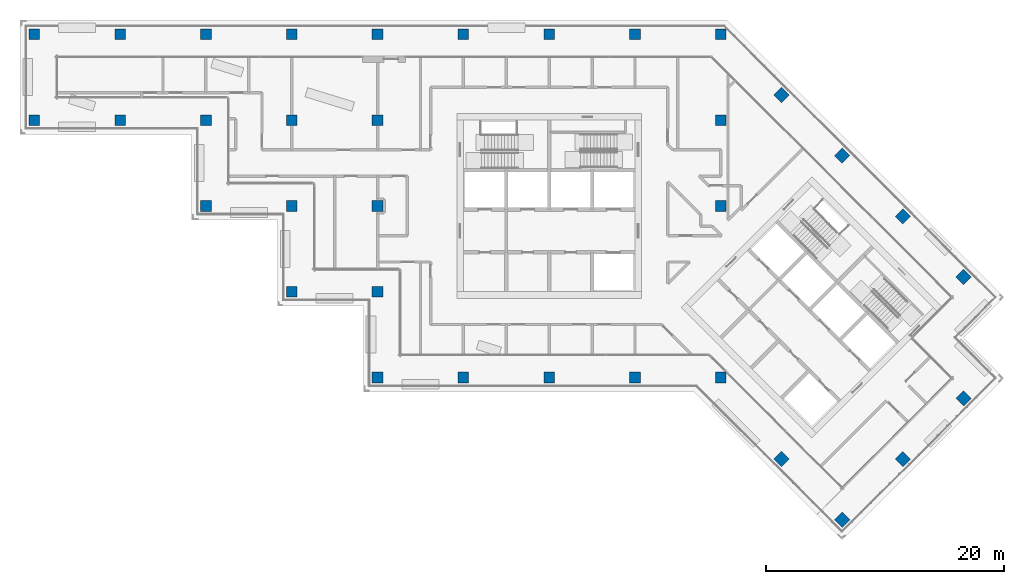
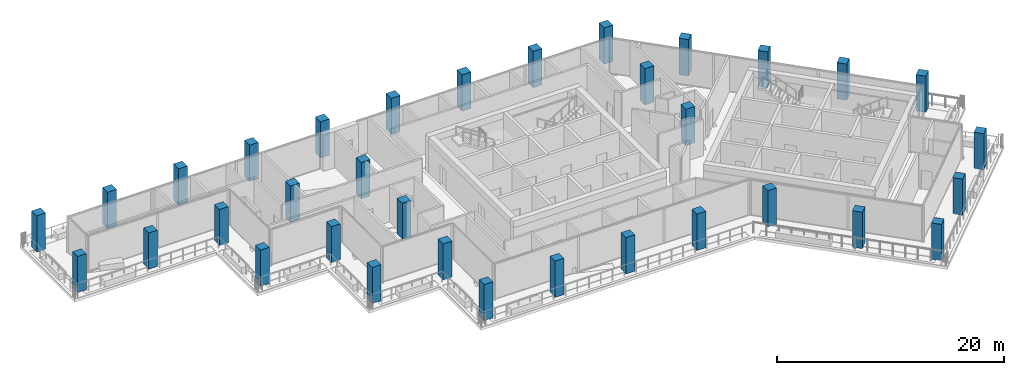
# One storey, part 1 of 19: 34 columns.
"""IFC4 building model written with IfcOpenShell, lengths in metres."""

from ifc_helpers import new_model, si_unit, direction, frame, origin, origin_2d, place, context, subcontext, project, spatial, rectangle, extrude, material, material_profile, profile_set, type_object, element, save


model = new_model("IFC4")

# Units and contexts
model_context = context("Model", 3, precision=1e-05, world=origin(), true_north=direction((0.0, 1.0)))
body_context = subcontext(model_context, "Body", "Model", "MODEL_VIEW")
ifc_project = project(units=[si_unit("LENGTHUNIT", "METRE"), si_unit("AREAUNIT", "SQUARE_METRE"), si_unit("VOLUMEUNIT", "CUBIC_METRE"), si_unit("PLANEANGLEUNIT", "RADIAN"), si_unit("MASSUNIT", "GRAM", prefix="KILO")], contexts=[model_context])

# Site, building, storey
site_placement = place(None, origin())
site = spatial("IfcSite", under=ifc_project, at=site_placement, CompositionType="ELEMENT")
building_placement = place(site_placement, origin())
building = spatial("IfcBuilding", under=site, at=building_placement, Name="Windrow Commons", CompositionType="ELEMENT")
storey_placement = place(building_placement, frame((0.0, 0.0, 185.4)))
storey = spatial("IfcBuildingStorey", under=building, at=storey_placement, Name="L50", CompositionType="ELEMENT", Elevation=185.4)

# Columns
ifc_material = material(Name="Concrete C50/60", Category="concrete")
ifc_material_profile = material_profile(ifc_material, rectangle(XDim=0.9, YDim=0.9, at=origin_2d()))
ifc_profile_set = profile_set([ifc_material_profile], Name="Concrete C50/60")
column_type = type_object("IfcColumnType", Name="RC COLUMN 900x900 C50/60", PredefinedType="COLUMN", material=ifc_profile_set)
for number, where, z_axis, x_axis, name in (
    (1, (21.6, 64.8, 0.0), (0.0, 0.0, 1.0), (1.0, 0.0, 0.0), "C-SG3-04I"),
    (2, (21.6, 72.0, 0.0), (0.0, 0.0, 1.0), (1.0, 0.0, 0.0), "C-SG3-04J"),
    (3, (28.8, 64.8, 0.0), (0.0, 0.0, 1.0), (1.0, 0.0, 0.0), "C-SG3-05I"),
    (4, (28.8, 72.0, 0.0), (0.0, 0.0, 1.0), (1.0, 0.0, 0.0), "C-SG3-05J"),
    (5, (36.0, 57.6, 0.0), (0.0, 0.0, 1.0), (1.0, 0.0, 0.0), "C-SG3-06H"),
    (6, (36.0, 64.8, 0.0), (0.0, 0.0, 1.0), (1.0, 0.0, 0.0), "C-SG3-06I"),
    (7, (36.0, 72.0, 0.0), (0.0, 0.0, 1.0), (1.0, 0.0, 0.0), "C-SG3-06J"),
    (8, (43.2, 50.4, 0.0), (0.0, 0.0, 1.0), (1.0, 0.0, 0.0), "C-SG3-07G"),
    (9, (43.2, 57.6, 0.0), (0.0, 0.0, 1.0), (1.0, 0.0, 0.0), "C-SG3-07H"),
    (10, (43.2, 64.8, 0.0), (0.0, 0.0, 1.0), (1.0, 0.0, 0.0), "C-SG3-07I"),
    (11, (43.2, 72.0, 0.0), (0.0, 0.0, 1.0), (1.0, 0.0, 0.0), "C-SG3-07J"),
    (12, (50.4, 43.2, 0.0), (0.0, 0.0, 1.0), (1.0, 0.0, 0.0), "C-SG3-08F"),
    (13, (50.4, 50.4, 0.0), (0.0, 0.0, 1.0), (1.0, 0.0, 0.0), "C-SG3-08G"),
    (14, (50.4, 57.6, 0.0), (0.0, 0.0, 1.0), (1.0, 0.0, 0.0), "C-SG3-08H"),
    (15, (50.4, 64.8, 0.0), (0.0, 0.0, 1.0), (1.0, 0.0, 0.0), "C-SG3-08I"),
    (16, (50.4, 72.0, 0.0), (0.0, 0.0, 1.0), (1.0, 0.0, 0.0), "C-SG3-08J"),
    (17, (57.6, 43.2, 0.0), (0.0, 0.0, 1.0), (1.0, 0.0, 0.0), "C-SG3-09F"),
    (18, (57.6, 72.0, 0.0), (0.0, 0.0, 1.0), (1.0, 0.0, 0.0), "C-SG3-09J"),
    (19, (64.8, 43.2, 0.0), (0.0, 0.0, 1.0), (1.0, 0.0, 0.0), "C-SG3-10F"),
    (20, (64.8, 72.0, 0.0), (0.0, 0.0, 1.0), (1.0, 0.0, 0.0), "C-SG3-10J"),
    (21, (72.0, 43.2, 0.0), (0.0, 0.0, 1.0), (1.0, 0.0, 0.0), "C-SG3-11F"),
    (22, (72.0, 72.0, 0.0), (0.0, 0.0, 1.0), (1.0, 0.0, 0.0), "C-SG3-11J"),
    (23, (79.2, 43.2, 0.0), (0.0, 0.0, 1.0), (1.0, 0.0, 0.0), "C-SG3-12F"),
    (24, (79.2, 57.6, 0.0), (0.0, 0.0, 1.0), (1.0, 0.0, 0.0), "C-SG3-12H"),
    (25, (79.2, 64.8, 0.0), (0.0, 0.0, 1.0), (1.0, 0.0, 0.0), "C-SG3-12I"),
    (26, (79.2, 72.0, 0.0), (0.0, 0.0, 1.0), (1.0, 0.0, 0.0), "C-SG3-12J"),
    (27, (84.2912, 66.9088, 0.0), (0.0, 0.0, 1.0), (0.7071067812, -0.7071067812, 0.0), "C-SG3-P2Q"),
    (28, (89.3823, 61.8177, 0.0), (0.0, 0.0, 1.0), (0.7071067812, -0.7071067812, 0.0), "C-SG3-P3Q"),
    (29, (94.4735, 56.7265, 0.0), (0.0, 0.0, 1.0), (0.7071067812, -0.7071067812, 0.0), "C-SG3-P4Q"),
    (30, (99.5647, 51.6353, 0.0), (0.0, 0.0, 1.0), (0.7071067812, -0.7071067812, 0.0), "C-SG3-P5Q"),
    (31, (84.2912, 36.3618, 0.0), (0.0, 0.0, 1.0), (0.7071067812, -0.7071067812, 0.0), "C-SG3-P5T"),
    (32, (99.5647, 41.453, 0.0), (0.0, 0.0, 1.0), (0.7071067812, -0.7071067812, 0.0), "C-SG3-P6R"),
    (33, (94.4735, 36.3618, 0.0), (0.0, 0.0, 1.0), (0.7071067812, -0.7071067812, 0.0), "C-SG3-P6S"),
    (34, (89.3823, 31.2706, 0.0), (0.0, 0.0, 1.0), (0.7071067812, -0.7071067812, 0.0), "C-SG3-P6T"),
):
    element("IfcColumn", number, at=place(storey_placement, frame(where, z_axis=z_axis, x_axis=x_axis)), inside=storey, type_object=column_type, Name=name, PredefinedType="COLUMN", context=body_context, shape_type="SweptSolid", body=[
        extrude(rectangle(XDim=0.9, YDim=0.9, at=origin_2d()), origin(), (0.0, 0.0, 1.0), 3.9),
    ])

save(model, "model.ifc")
